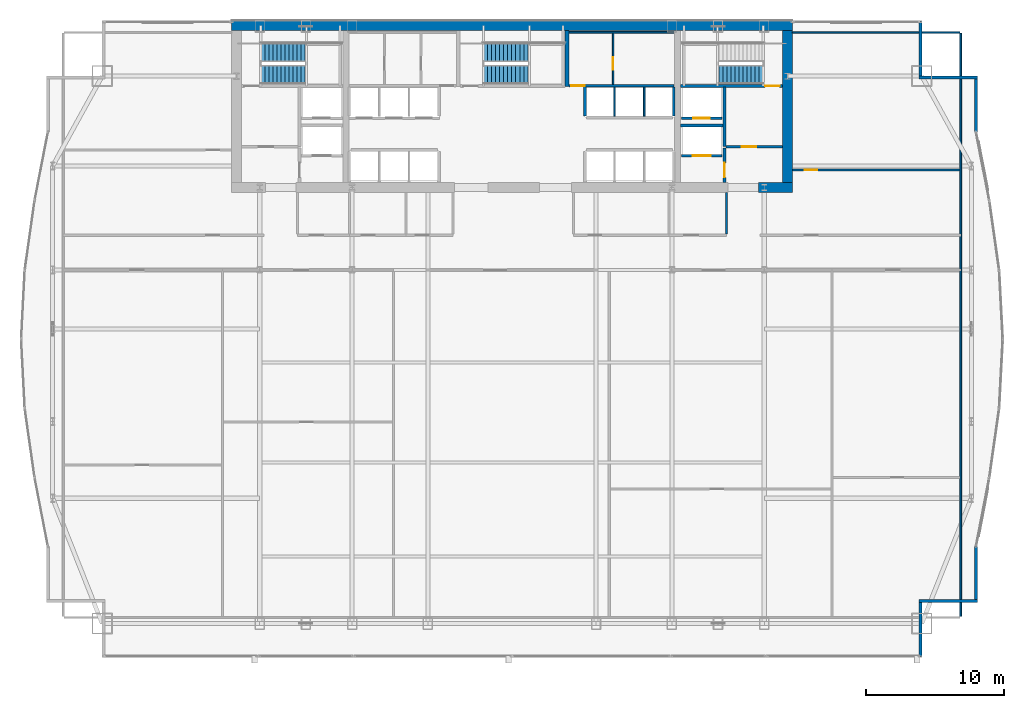
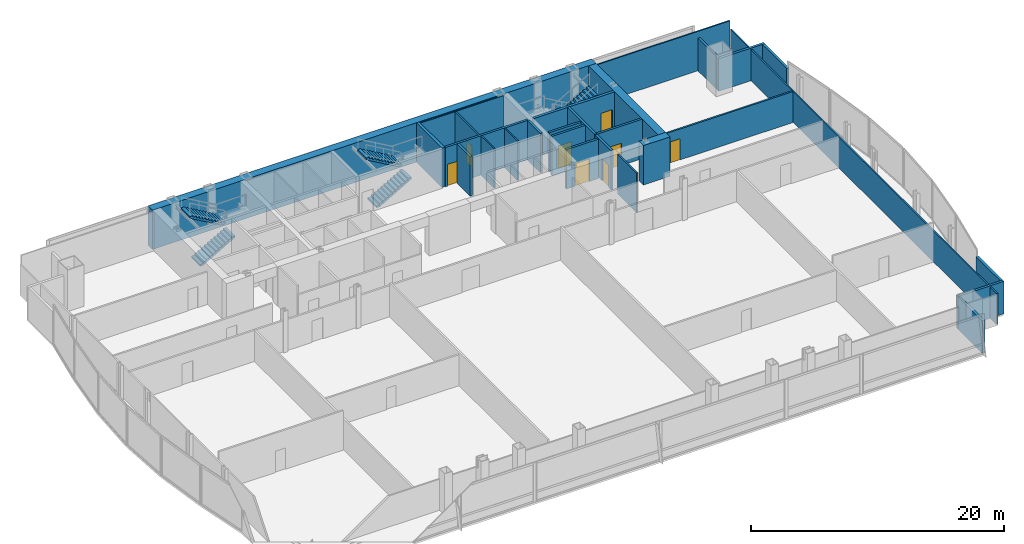
# One storey, part 30 of 34: 28 walls, 8 doors, 5 stair flights, 8 openings, 3 elements without a shape of their own.
"""IFC4 building model written with IfcOpenShell, lengths in metres."""

from ifc_helpers import new_model, si_unit, direction, frame, frame_2d, origin, place, context, subcontext, project, spatial, polyline, rectangle, outline, extrude, material, layer, layer_set, type_object, element, fill, aggregate, save


model = new_model("IFC4")

# Units and contexts
model_context = context("Model", 3, precision=1e-05, world=origin(), true_north=direction((0.0, 1.0)))
body_context = subcontext(model_context, "Body", "Model", "MODEL_VIEW")
ifc_project = project(units=[si_unit("LENGTHUNIT", "METRE"), si_unit("AREAUNIT", "SQUARE_METRE"), si_unit("VOLUMEUNIT", "CUBIC_METRE"), si_unit("PLANEANGLEUNIT", "RADIAN"), si_unit("MASSUNIT", "GRAM", prefix="KILO")], contexts=[model_context])

# Site, building, storey
site_placement = place(None, origin())
site = spatial("IfcSite", under=ifc_project, at=site_placement, CompositionType="ELEMENT")
building_placement = place(site_placement, origin())
building = spatial("IfcBuilding", under=site, at=building_placement, Name="Khoronbel Lancet Exchange", CompositionType="ELEMENT")
storey_placement = place(building_placement, frame((0.0, 0.0, 102.60009765625)))
storey = spatial("IfcBuildingStorey", under=building, at=storey_placement, Name="L24", CompositionType="ELEMENT", Elevation=102.60009765625)

# Walls
ifc_material_1 = material(Name="Concrete C80/95", Category="concrete")
ifc_layer_1 = layer(ifc_material_1, 0.699951171875, Name="Concrete C80/95")
ifc_layer_set_1 = layer_set([ifc_layer_1], Name="Concrete C80/95")
wall_type_1 = type_object("IfcWallType", Name="WL-CW2", PredefinedType="SHEAR", material=ifc_layer_set_1)
wall_1_placement = place(storey_placement, frame((16.199951171875, 53.35009765625, 0.0), z_axis=(0.0, 0.0, 1.0), x_axis=(1.0, 0.0, 0.0)))
element("IfcWall", 1, at=wall_1_placement, inside=storey, type_object=wall_type_1, Name="Level L24 rear core north shear wall", PredefinedType="SHEAR", context=body_context, shape_type="SweptSolid", body=[
    extrude(rectangle(XDim=40.5, YDim=0.699951171875, at=frame_2d((20.25, 0.0))), origin(), (0.0, 0.0, 1.0), 3.7998046875),
])
wall_2_placement = place(storey_placement, frame((56.35009765625, 53.0, 0.0), z_axis=(0.0, 0.0, 1.0), x_axis=(0.0, -1.0, 0.0)))
element("IfcWall", 2, at=wall_2_placement, inside=storey, type_object=wall_type_1, Name="Level L24 rear core east shear wall", PredefinedType="SHEAR", context=body_context, shape_type="SweptSolid", body=[
    extrude(rectangle(XDim=11.0, YDim=0.699951171875, at=frame_2d((5.5, 0.0))), origin(), (0.0, 0.0, 1.0), 3.7998046875),
])
wall_3_placement = place(storey_placement, frame((56.699951171875, 41.64990234375, 0.0), z_axis=(0.0, 0.0, 1.0), x_axis=(-1.0, 0.0, 0.0)))
element("IfcWall", 3, at=wall_3_placement, inside=storey, type_object=wall_type_1, Name="Level L24 rear core south shear wall pier P5", PredefinedType="SHEAR", context=body_context, shape_type="SweptSolid", body=[
    extrude(rectangle(XDim=2.449951171875, YDim=0.699951171875, at=frame_2d((1.22509765625, 0.0))), origin(), (0.0, 0.0, 1.0), 3.7998046875),
])
ifc_material_2 = material(Name="Precast concrete C40/50", Category="concrete")
ifc_layer_2 = layer(ifc_material_2, 0.25, Name="Precast concrete C40/50")
ifc_layer_set_2 = layer_set([ifc_layer_2], Name="Precast concrete C40/50")
wall_type_2 = type_object("IfcWallType", Name="WL-EXT250", PredefinedType="SOLIDWALL", material=ifc_layer_set_2)
wall_4_placement = place(storey_placement, frame((65.9599609375, 53.6298828125, 0.0), z_axis=(0.0, 0.0, 1.0), x_axis=(0.0, -1.0, 0.0)))
element("IfcWall", 4, at=wall_4_placement, inside=storey, type_object=wall_type_2, Name="Level L24 notched-corner limestone pier 14", PredefinedType="SOLIDWALL", context=body_context, shape_type="SweptSolid", body=[
    extrude(rectangle(XDim=3.909912109375, YDim=0.219970703125, at=frame_2d((1.955078125, 0.0))), origin(), (0.0, 0.0, 1.0), 3.139892578125),
])
wall_5_placement = place(storey_placement, frame((65.85009765625, 49.610107421875, 0.0), z_axis=(0.0, 0.0, 1.0), x_axis=(1.0, 0.0, 0.0)))
element("IfcWall", 5, at=wall_5_placement, inside=storey, type_object=wall_type_2, Name="Level L24 notched-corner limestone pier 15", PredefinedType="SOLIDWALL", context=body_context, shape_type="SweptSolid", body=[
    extrude(rectangle(XDim=4.219970703125, YDim=0.219970703125, at=frame_2d((2.10986328125, 0.0))), origin(), (0.0, 0.0, 1.0), 3.139892578125),
])
for number, where, z_axis, x_axis, name in (
    (6, (69.9599609375, 49.5, 0.0), (0.0, 0.0, 1.0), (0.0, -1.0, 0.0), "Level L24 notched-corner limestone pier 16"),
    (7, (69.9599609375, 15.728515625, 0.0), (0.0, 0.0, 1.0), (0.0, -1.0, 0.0), "Level L24 notched-corner limestone pier 23"),
):
    element("IfcWall", number, at=place(storey_placement, frame(where, z_axis=z_axis, x_axis=x_axis)), inside=storey, type_object=wall_type_2, Name=name, PredefinedType="SOLIDWALL", context=body_context, shape_type="SweptSolid", body=[
        extrude(rectangle(XDim=3.82861328125, YDim=0.219970703125, at=frame_2d((1.914306640625, 0.0))), origin(), (0.0, 0.0, 1.0), 3.139892578125),
    ])
wall_6_placement = place(storey_placement, frame((70.070068359375, 11.7900390625, 0.0), z_axis=(0.0, 0.0, 1.0), x_axis=(-1.0, 0.0, 0.0)))
element("IfcWall", 8, at=wall_6_placement, inside=storey, type_object=wall_type_2, Name="Level L24 notched-corner limestone pier 24", PredefinedType="SOLIDWALL", context=body_context, shape_type="SweptSolid", body=[
    extrude(rectangle(XDim=4.219970703125, YDim=0.219970703125, at=frame_2d((2.10986328125, 0.0))), origin(), (0.0, 0.0, 1.0), 3.139892578125),
])
wall_7_placement = place(storey_placement, frame((65.9599609375, 11.679931640625, 0.0), z_axis=(0.0, 0.0, 1.0), x_axis=(0.0, -1.0, 0.0)))
element("IfcWall", 9, at=wall_7_placement, inside=storey, type_object=wall_type_2, Name="Level L24 notched-corner limestone pier 25", PredefinedType="SOLIDWALL", context=body_context, shape_type="SweptSolid", body=[
    extrude(rectangle(XDim=3.909912109375, YDim=0.219970703125, at=frame_2d((1.955078125, 0.0))), origin(), (0.0, 0.0, 1.0), 3.139892578125),
])
ifc_material_3 = material(Name="Acoustic Metal-Stud & Mineral-Wool Gypsum Partition 120 mm", Category="gypsum")
ifc_layer_3 = layer(ifc_material_3, 0.1201171875, Name="Acoustic Metal-Stud & Mineral-Wool Gypsum Partition 120 mm")
ifc_layer_set_3 = layer_set([ifc_layer_3], Name="Acoustic Metal-Stud & Mineral-Wool Gypsum Partition 120 mm")
wall_type_3 = type_object("IfcWallType", Name="WL-PRT120", PredefinedType="PARTITIONING", material=ifc_layer_set_3)
wall_8_placement = place(storey_placement, frame((51.949951171875, 38.280029296875, 0.0), z_axis=(0.0, 0.0, 1.0), x_axis=(0.0, 1.0, 0.0)))
element("IfcWall", 10, at=wall_8_placement, inside=storey, type_object=wall_type_3, Name="Level L24 interior partition PW-NP-1", PredefinedType="PARTITIONING", context=body_context, shape_type="SweptSolid", body=[
    extrude(rectangle(XDim=3.02001953125, YDim=0.14990234375, at=frame_2d((1.510009765625, 0.0))), origin(), (0.0, 0.0, 1.0), 3.7998046875),
])

# Wall, opening, door
wall_9_placement = place(storey_placement, frame((56.699951171875, 42.919921875, 0.0), z_axis=(0.0, 0.0, 1.0), x_axis=(1.0, 0.0, 0.0)))
wall_9 = element("IfcWall", 11, at=wall_9_placement, inside=storey, type_object=wall_type_3, Name="Level L24 interior partition PW-NE-H", PredefinedType="PARTITIONING", context=body_context, shape_type="SweptSolid", body=[
    extrude(rectangle(XDim=12.10498046875, YDim=0.14990234375, at=frame_2d((6.052490234375, 0.0))), origin(), (0.0, 0.0, 1.0), 2.989990234375),
])
opening_1_placement = place(wall_9_placement, frame((0.89990234375, 0.0, 0.0)))
opening_1 = element("IfcOpeningElement", 12, at=opening_1_placement, cuts=wall_9, Name="Opening D5", PredefinedType="OPENING", context=body_context, shape_type="SweptSolid", body=[
    extrude(rectangle(XDim=0.89990234375, YDim=2.050048828125, at=frame_2d((0.449951171875, 1.02490234375))), frame((0.0, 0.0849609375, 0.0), z_axis=(0.0, -1.0, 0.0), x_axis=(1.0, 0.0, 0.0)), (0.0, 0.0, 1.0), 0.169921875),
])
ifc_material_4 = material(Name="Acoustic Timber Pantry & Support Door", Category="wood")
door_type_1 = type_object("IfcDoorType", Name="DR-D5", OperationType="NOTDEFINED", PredefinedType="DOOR", material=ifc_material_4)
door_1_placement = place(opening_1_placement, origin())
door_1 = element("IfcDoor", 13, at=door_1_placement, inside=storey, type_object=door_type_1, Name="NE north room door L24-1", OperationType="SINGLE_SWING_RIGHT", OverallHeight=2.050048828125, OverallWidth=0.89990234375, PredefinedType="DOOR", context=body_context, shape_type="SweptSolid", body=[
    extrude(rectangle(XDim=0.89990234375, YDim=2.050048828125, at=frame_2d((0.449951171875, 1.02490234375))), frame((0.0, 0.02490234375, 0.0), z_axis=(0.0, -1.0, 0.0), x_axis=(1.0, 0.0, 0.0)), (0.0, 0.0, 1.0), 0.050048828125),
])
fill(opening_1, door_1)

# Walls
wall_10_placement = place(storey_placement, frame((68.8701171875, 10.6650390625, 0.0), z_axis=(0.0, 0.0, 1.0), x_axis=(0.0, 1.0, 0.0)))
element("IfcWall", 14, at=wall_10_placement, inside=storey, type_object=wall_type_3, Name="Level L24 interior partition PW-LIN-E", PredefinedType="PARTITIONING", context=body_context, shape_type="SweptSolid", body=[
    extrude(rectangle(XDim=42.10986328125, YDim=0.1201171875, at=frame_2d((21.054931640625, 0.0))), origin(), (0.0, 0.0, 1.0), 2.989990234375),
])
wall_11_placement = place(storey_placement, frame((56.699951171875, 52.840087890625, 0.0), z_axis=(0.0, 0.0, 1.0), x_axis=(1.0, 0.0, 0.0)))
element("IfcWall", 15, at=wall_11_placement, inside=storey, type_object=wall_type_3, Name="Level L24 interior partition PW-LIN-NE", PredefinedType="PARTITIONING", context=body_context, shape_type="SweptSolid", body=[
    extrude(rectangle(XDim=12.10498046875, YDim=0.1201171875, at=frame_2d((6.052490234375, 0.0))), origin(), (0.0, 0.0, 1.0), 3.7998046875),
])
ifc_material_5 = material(Name="Fire-Rated Metal-Stud & Mineral-Wool Gypsum Partition 120 mm", Category="gypsum")
ifc_layer_4 = layer(ifc_material_5, 0.1201171875, Name="Fire-Rated Metal-Stud & Mineral-Wool Gypsum Partition 120 mm")
ifc_layer_set_4 = layer_set([ifc_layer_4], Name="Fire-Rated Metal-Stud & Mineral-Wool Gypsum Partition 120 mm")
wall_type_4 = type_object("IfcWallType", Name="WL-PRT120F", PredefinedType="PARTITIONING", material=ifc_layer_set_4)
for number, where, z_axis, x_axis, name in (
    (16, (43.860107421875, 46.804931640625, 0.0), (0.0, 0.0, 1.0), (0.0, 1.0, 0.0), "Level L24 interior partition CW-PH-D1"),
    (17, (46.0, 46.804931640625, 0.0), (0.0, 0.0, 1.0), (0.0, 1.0, 0.0), "Level L24 interior partition CW-PH-D2"),
):
    element("IfcWall", number, at=place(storey_placement, frame(where, z_axis=z_axis, x_axis=x_axis)), inside=storey, type_object=wall_type_4, Name=name, PredefinedType="PARTITIONING", context=body_context, shape_type="SweptSolid", body=[
        extrude(rectangle(XDim=2.090087890625, YDim=0.1201171875, at=frame_2d((1.044921875, 0.0))), origin(), (0.0, 0.0, 1.0), 3.7998046875),
    ])
wall_12_placement = place(storey_placement, frame((40.580078125, 52.860107421875, 0.0), z_axis=(0.0, 0.0, 1.0), x_axis=(1.0, 0.0, 0.0)))
element("IfcWall", 18, at=wall_12_placement, inside=storey, type_object=wall_type_4, Name="Level L24 interior partition CW-SUP-NE-N", PredefinedType="PARTITIONING", context=body_context, shape_type="SweptSolid", body=[
    extrude(rectangle(XDim=7.559814453125, YDim=0.1201171875, at=frame_2d((3.77978515625, 0.0))), origin(), (0.0, 0.0, 1.0), 3.7998046875),
])

# Wall, opening, door
wall_13_placement = place(storey_placement, frame((43.755126953125, 49.10498046875, 0.0), z_axis=(0.0, 0.0, 1.0), x_axis=(0.0, 1.0, 0.0)))
wall_13 = element("IfcWall", 19, at=wall_13_placement, inside=storey, type_object=wall_type_4, Name="Level L24 interior partition CW-SUP-NE-M", PredefinedType="PARTITIONING", context=body_context, shape_type="SweptSolid", body=[
    extrude(rectangle(XDim=3.68994140625, YDim=0.1201171875, at=frame_2d((1.844970703125, 0.0))), origin(), (0.0, 0.0, 1.0), 3.7998046875),
])
opening_2_placement = place(wall_13_placement, frame((1.050048828125, 0.0, 0.0)))
opening_2 = element("IfcOpeningElement", 20, at=opening_2_placement, cuts=wall_13, Name="Opening FD4", PredefinedType="OPENING", context=body_context, shape_type="SweptSolid", body=[
    extrude(rectangle(XDim=0.89990234375, YDim=2.050048828125, at=frame_2d((0.449951171875, 1.02490234375))), frame((0.0, 0.070068359375, 0.0), z_axis=(0.0, -1.0, 0.0), x_axis=(1.0, 0.0, 0.0)), (0.0, 0.0, 1.0), 0.14013671875),
])
ifc_material_6 = material(Name="Fire-Rated Steel Core Support Door Assembly", Category="steel")
door_type_2 = type_object("IfcDoorType", Name="DR-FD4", OperationType="NOTDEFINED", PredefinedType="DOOR", material=ifc_material_6)
door_2_placement = place(opening_2_placement, origin())
door_2 = element("IfcDoor", 21, at=door_2_placement, inside=storey, type_object=door_type_2, Name="Core NE inner support door L24-1", OperationType="SINGLE_SWING_LEFT", OverallHeight=2.050048828125, OverallWidth=0.89990234375, PredefinedType="DOOR", context=body_context, shape_type="SweptSolid", body=[
    extrude(rectangle(XDim=0.89990234375, YDim=2.050048828125, at=frame_2d((0.449951171875, 1.02490234375))), frame((0.0, 0.02490234375, 0.0), z_axis=(0.0, -1.0, 0.0), x_axis=(1.0, 0.0, 0.0)), (0.0, 0.0, 1.0), 0.050048828125),
])
fill(opening_2, door_2)

ifc_material_7 = material(Name="Autoclaved Aerated Concrete Blockwork 200 mm", Category="masonry")
ifc_layer_5 = layer(ifc_material_7, 0.199951171875, Name="Autoclaved Aerated Concrete Blockwork 200 mm")
ifc_layer_set_5 = layer_set([ifc_layer_5], Name="Autoclaved Aerated Concrete Blockwork 200 mm")
wall_type_5 = type_object("IfcWallType", Name="WL-PRT200", PredefinedType="PARTITIONING", material=ifc_layer_set_5)
wall_14_placement = place(storey_placement, frame((51.610107421875, 43.949951171875, 0.0), z_axis=(0.0, 0.0, 1.0), x_axis=(-1.0, 0.0, 0.0)))
wall_14 = element("IfcWall", 22, at=wall_14_placement, inside=storey, type_object=wall_type_5, Name="Level L24 elevator hoistway landing front wall SVLE", PredefinedType="PARTITIONING", context=body_context, shape_type="SweptSolid", body=[
    extrude(rectangle(XDim=2.920166015625, YDim=0.199951171875, at=frame_2d((1.4599609375, 0.0))), origin(), (0.0, 0.0, 1.0), 3.7998046875),
])
opening_3_placement = place(wall_14_placement, frame((0.81005859375, 0.0, 0.0)))
opening_3 = element("IfcOpeningElement", 23, at=opening_3_placement, cuts=wall_14, Name="Opening LD-SVL2", PredefinedType="OPENING", context=body_context, shape_type="SweptSolid", body=[
    extrude(rectangle(XDim=1.300048828125, YDim=2.179931640625, at=frame_2d((0.64990234375, 1.08984375))), frame((0.0, 0.10986328125, 0.0), z_axis=(0.0, -1.0, 0.0), x_axis=(1.0, 0.0, 0.0)), (0.0, 0.0, 1.0), 0.219970703125),
])
ifc_material_8 = material(Name="Heavy-Duty Bi-Parting Goods Lift Landing Door", Category="steel")
door_type_3 = type_object("IfcDoorType", Name="DR-LD-SVL", OperationType="NOTDEFINED", PredefinedType="DOOR", material=ifc_material_8)
door_3_placement = place(opening_3_placement, origin())
door_3 = element("IfcDoor", 24, at=door_3_placement, inside=storey, type_object=door_type_3, Name="Elevator landing sliding door LD-SVL2 L24", OperationType="SLIDING_TO_LEFT", OverallHeight=2.179931640625, OverallWidth=1.300048828125, PredefinedType="DOOR", context=body_context, shape_type="SweptSolid", body=[
    extrude(rectangle(XDim=1.300048828125, YDim=2.179931640625, at=frame_2d((0.64990234375, 1.08984375))), frame((0.0, 0.02490234375, 0.0), z_axis=(0.0, -1.0, 0.0), x_axis=(1.0, 0.0, 0.0)), (0.0, 0.0, 1.0), 0.050048828125),
])
fill(opening_3, door_3)

wall_15_placement = place(storey_placement, frame((51.610107421875, 46.64990234375, 0.0), z_axis=(0.0, 0.0, 1.0), x_axis=(-1.0, 0.0, 0.0)))
wall_15 = element("IfcWall", 25, at=wall_15_placement, inside=storey, type_object=wall_type_5, Name="Level L24 elevator hoistway landing front wall FFLE", PredefinedType="PARTITIONING", context=body_context, shape_type="SweptSolid", body=[
    extrude(rectangle(XDim=2.920166015625, YDim=0.199951171875, at=frame_2d((1.4599609375, 0.0))), origin(), (0.0, 0.0, 1.0), 3.7998046875),
])
opening_4_placement = place(wall_15_placement, frame((0.860107421875, 0.0, 0.0)))
opening_4 = element("IfcOpeningElement", 26, at=opening_4_placement, cuts=wall_15, Name="Opening LD-FFL2", PredefinedType="OPENING", context=body_context, shape_type="SweptSolid", body=[
    extrude(rectangle(XDim=1.199951171875, YDim=2.179931640625, at=frame_2d((0.60009765625, 1.08984375))), frame((0.0, 0.10986328125, 0.0), z_axis=(0.0, -1.0, 0.0), x_axis=(1.0, 0.0, 0.0)), (0.0, 0.0, 1.0), 0.219970703125),
])
ifc_material_9 = material(Name="Fire-Rated Stainless Bi-Parting Firefighting Lift Door", Category="steel")
door_type_4 = type_object("IfcDoorType", Name="DR-LD-FFL", OperationType="NOTDEFINED", PredefinedType="DOOR", material=ifc_material_9)
door_4_placement = place(opening_4_placement, origin())
door_4 = element("IfcDoor", 27, at=door_4_placement, inside=storey, type_object=door_type_4, Name="Elevator landing sliding door LD-FFL2 L24", OperationType="SLIDING_TO_LEFT", OverallHeight=2.179931640625, OverallWidth=1.199951171875, PredefinedType="DOOR", context=body_context, shape_type="SweptSolid", body=[
    extrude(rectangle(XDim=1.199951171875, YDim=2.179931640625, at=frame_2d((0.60009765625, 1.08984375))), frame((0.0, 0.02490234375, 0.0), z_axis=(0.0, -1.0, 0.0), x_axis=(1.0, 0.0, 0.0)), (0.0, 0.0, 1.0), 0.050048828125),
])
fill(opening_4, door_4)

# Wall
wall_16_placement = place(storey_placement, frame((51.800048828125, 44.60009765625, 0.0), z_axis=(0.0, 0.0, 1.0), x_axis=(0.0, 1.0, 0.0)))
element("IfcWall", 28, at=wall_16_placement, inside=storey, type_object=wall_type_5, Name="Level L24 interior partition CW-FFLE-W", PredefinedType="PARTITIONING", context=body_context, shape_type="SweptSolid", body=[
    extrude(rectangle(XDim=4.2998046875, YDim=0.199951171875, at=frame_2d((2.14990234375, 0.0))), origin(), (0.0, 0.0, 1.0), 3.7998046875),
])

# Wall, opening, door
wall_17_placement = place(storey_placement, frame((51.89990234375, 44.60009765625, 0.0), z_axis=(0.0, 0.0, 1.0), x_axis=(1.0, 0.0, 0.0)))
wall_17 = element("IfcWall", 29, at=wall_17_placement, inside=storey, type_object=wall_type_5, Name="Level L24 interior partition CW-FFLE-S", PredefinedType="PARTITIONING", context=body_context, shape_type="SweptSolid", body=[
    extrude(rectangle(XDim=4.10009765625, YDim=0.199951171875, at=frame_2d((2.050048828125, 0.0))), origin(), (0.0, 0.0, 1.0), 3.7998046875),
])
opening_5_placement = place(wall_17_placement, frame((1.14990234375, 0.0, 0.0)))
opening_5 = element("IfcOpeningElement", 30, at=opening_5_placement, cuts=wall_17, Name="Opening FD1", PredefinedType="OPENING", context=body_context, shape_type="SweptSolid", body=[
    extrude(rectangle(XDim=1.050048828125, YDim=2.14990234375, at=frame_2d((0.52490234375, 1.074951171875))), frame((0.0, 0.10986328125, 0.0), z_axis=(0.0, -1.0, 0.0), x_axis=(1.0, 0.0, 0.0)), (0.0, 0.0, 1.0), 0.219970703125),
])
ifc_material_10 = material(Name="Fire-Rated Painted Steel Door Assembly", Category="steel")
door_type_5 = type_object("IfcDoorType", Name="DR-FD1", OperationType="NOTDEFINED", PredefinedType="DOOR", material=ifc_material_10)
door_5_placement = place(opening_5_placement, origin())
door_5 = element("IfcDoor", 31, at=door_5_placement, inside=storey, type_object=door_type_5, Name="East firefighting lobby FD90S door L24-1", OperationType="SINGLE_SWING_LEFT", OverallHeight=2.14990234375, OverallWidth=1.050048828125, PredefinedType="DOOR", context=body_context, shape_type="SweptSolid", body=[
    extrude(rectangle(XDim=1.050048828125, YDim=2.14990234375, at=frame_2d((0.52490234375, 1.074951171875))), frame((0.0, 0.02490234375, 0.0), z_axis=(0.0, -1.0, 0.0), x_axis=(1.0, 0.0, 0.0)), (0.0, 0.0, 1.0), 0.050048828125),
])
fill(opening_5, door_5)

# Wall
wall_18_placement = place(storey_placement, frame((48.6298828125, 46.1201171875, 0.0), z_axis=(0.0, 0.0, 1.0), x_axis=(1.0, 0.0, 0.0)))
element("IfcWall", 32, at=wall_18_placement, inside=storey, type_object=wall_type_5, Name="Level L24 interior partition CW-FFL2-S", PredefinedType="PARTITIONING", context=body_context, shape_type="SweptSolid", body=[
    extrude(rectangle(XDim=3.070068359375, YDim=0.199951171875, at=frame_2d((1.53515625, 0.0))), origin(), (0.0, 0.0, 1.0), 3.7998046875),
])

# Wall, opening, door
wall_19_placement = place(storey_placement, frame((51.800048828125, 42.0, 0.0), z_axis=(0.0, 0.0, 1.0), x_axis=(0.0, 1.0, 0.0)))
wall_19 = element("IfcWall", 33, at=wall_19_placement, inside=storey, type_object=wall_type_5, Name="Level L24 interior partition CW-SVLE-E", PredefinedType="PARTITIONING", context=body_context, shape_type="SweptSolid", body=[
    extrude(rectangle(XDim=2.4951171875, YDim=0.199951171875, at=frame_2d((1.24755859375, 0.0))), origin(), (0.0, 0.0, 1.0), 3.7998046875),
])
opening_6_placement = place(wall_19_placement, frame((0.3798828125, 0.0, 0.0)))
opening_6 = element("IfcOpeningElement", 34, at=opening_6_placement, cuts=wall_19, Name="Opening FD1", PredefinedType="OPENING", context=body_context, shape_type="SweptSolid", body=[
    extrude(rectangle(XDim=1.050048828125, YDim=2.14990234375, at=frame_2d((0.52490234375, 1.074951171875))), frame((0.0, 0.10986328125, 0.0), z_axis=(0.0, -1.0, 0.0), x_axis=(1.0, 0.0, 0.0)), (0.0, 0.0, 1.0), 0.219970703125),
])
door_6_placement = place(opening_6_placement, origin())
door_6 = element("IfcDoor", 35, at=door_6_placement, inside=storey, type_object=door_type_5, Name="East service lift lobby door L24-1", OperationType="SINGLE_SWING_RIGHT", OverallHeight=2.14990234375, OverallWidth=1.050048828125, PredefinedType="DOOR", context=body_context, shape_type="SweptSolid", body=[
    extrude(rectangle(XDim=1.050048828125, YDim=2.14990234375, at=frame_2d((0.52490234375, 1.074951171875))), frame((0.0, 0.02490234375, 0.0), z_axis=(0.0, -1.0, 0.0), x_axis=(1.0, 0.0, 0.0)), (0.0, 0.0, 1.0), 0.050048828125),
])
fill(opening_6, door_6)

# Walls
for number, where, z_axis, x_axis, name in (
    (36, (41.719970703125, 46.804931640625, 0.0), (0.0, 0.0, 1.0), (0.0, 1.0, 0.0), "Level L24 interior partition CW-PH-W"),
    (37, (48.139892578125, 46.804931640625, 0.0), (0.0, 0.0, 1.0), (0.0, 1.0, 0.0), "Level L24 interior partition CW-PH-E"),
):
    element("IfcWall", number, at=place(storey_placement, frame(where, z_axis=z_axis, x_axis=x_axis)), inside=storey, type_object=wall_type_5, Name=name, PredefinedType="PARTITIONING", context=body_context, shape_type="SweptSolid", body=[
        extrude(rectangle(XDim=2.090087890625, YDim=0.199951171875, at=frame_2d((1.044921875, 0.0))), origin(), (0.0, 0.0, 1.0), 3.7998046875),
    ])

# Wall, opening, door
wall_20_placement = place(storey_placement, frame((40.580078125, 49.0, 0.0), z_axis=(0.0, 0.0, 1.0), x_axis=(1.0, 0.0, 0.0)))
wall_20 = element("IfcWall", 38, at=wall_20_placement, inside=storey, type_object=wall_type_5, Name="Level L24 interior partition CW-SUP-NE-S", PredefinedType="PARTITIONING", context=body_context, shape_type="SweptSolid", body=[
    extrude(rectangle(XDim=7.559814453125, YDim=0.199951171875, at=frame_2d((3.77978515625, 0.0))), origin(), (0.0, 0.0, 1.0), 3.7998046875),
])
opening_7_placement = place(wall_20_placement, frame((0.159912109375, 0.0, 0.0)))
opening_7 = element("IfcOpeningElement", 39, at=opening_7_placement, cuts=wall_20, Name="Opening FD3", PredefinedType="OPENING", context=body_context, shape_type="SweptSolid", body=[
    extrude(rectangle(XDim=0.949951171875, YDim=2.10009765625, at=frame_2d((0.47509765625, 1.050048828125))), frame((0.0, 0.10986328125, 0.0), z_axis=(0.0, -1.0, 0.0), x_axis=(1.0, 0.0, 0.0)), (0.0, 0.0, 1.0), 0.219970703125),
])
ifc_material_11 = material(Name="Fire-Rated Steel Plant & Riser Door Assembly", Category="steel")
door_type_6 = type_object("IfcDoorType", Name="DR-FD3", OperationType="NOTDEFINED", PredefinedType="DOOR", material=ifc_material_11)
door_7_placement = place(opening_7_placement, origin())
door_7 = element("IfcDoor", 40, at=door_7_placement, inside=storey, type_object=door_type_6, Name="Core NE support room door L24-1", OperationType="SINGLE_SWING_RIGHT", OverallHeight=2.10009765625, OverallWidth=0.949951171875, PredefinedType="DOOR", context=body_context, shape_type="SweptSolid", body=[
    extrude(rectangle(XDim=0.949951171875, YDim=2.10009765625, at=frame_2d((0.47509765625, 1.050048828125))), frame((0.0, 0.02490234375, 0.0), z_axis=(0.0, -1.0, 0.0), x_axis=(1.0, 0.0, 0.0)), (0.0, 0.0, 1.0), 0.050048828125),
])
fill(opening_7, door_7)

# Wall
ifc_material_12 = material(Name="Concrete C60/75", Category="concrete")
ifc_layer_6 = layer(ifc_material_12, 0.260009765625, Name="Concrete C60/75")
ifc_layer_set_6 = layer_set([ifc_layer_6], Name="Concrete C60/75")
wall_type_6 = type_object("IfcWallType", Name="WL-SW3", PredefinedType="SHEAR", material=ifc_layer_set_6)
wall_21_placement = place(storey_placement, frame((40.419921875, 48.949951171875, 0.0), z_axis=(0.0, 0.0, 1.0), x_axis=(0.0, 1.0, 0.0)))
element("IfcWall", 41, at=wall_21_placement, inside=storey, type_object=wall_type_6, Name="Level L24 central stairwell structural shear wall ST3E", PredefinedType="SHEAR", context=body_context, shape_type="SweptSolid", body=[
    extrude(rectangle(XDim=4.050048828125, YDim=0.260009765625, at=frame_2d((2.02490234375, 0.0))), origin(), (0.0, 0.0, 1.0), 3.7998046875),
])

# Wall, opening, door
wall_22_placement = place(storey_placement, frame((48.6298828125, 48.97998046875, 0.0), z_axis=(0.0, 0.0, 1.0), x_axis=(1.0, 0.0, 0.0)))
wall_22 = element("IfcWall", 42, at=wall_22_placement, inside=storey, type_object=wall_type_6, Name="Level L24 east stairwell structural south wall", PredefinedType="SHEAR", context=body_context, shape_type="SweptSolid", body=[
    extrude(rectangle(XDim=7.3701171875, YDim=0.239990234375, at=frame_2d((3.68505859375, 0.0))), origin(), (0.0, 0.0, 1.0), 3.7998046875),
])
opening_8_placement = place(wall_22_placement, frame((6.10009765625, 0.0, 0.0)))
opening_8 = element("IfcOpeningElement", 43, at=opening_8_placement, cuts=wall_22, Name="Opening SD1", PredefinedType="OPENING", context=body_context, shape_type="SweptSolid", body=[
    extrude(rectangle(XDim=1.050048828125, YDim=2.14990234375, at=frame_2d((0.52490234375, 1.074951171875))), frame((0.0, 0.1298828125, 0.0), z_axis=(0.0, -1.0, 0.0), x_axis=(1.0, 0.0, 0.0)), (0.0, 0.0, 1.0), 0.260009765625),
])
ifc_material_13 = material(Name="Fire-Rated Steel Stairwell Door Assembly", Category="steel")
door_type_7 = type_object("IfcDoorType", Name="DR-SD1", OperationType="NOTDEFINED", PredefinedType="DOOR", material=ifc_material_13)
door_8_placement = place(opening_8_placement, origin())
door_8 = element("IfcDoor", 44, at=door_8_placement, inside=storey, type_object=door_type_7, Name="Protected exit stair ST2 door L24", OperationType="SINGLE_SWING_RIGHT", OverallHeight=2.14990234375, OverallWidth=1.050048828125, PredefinedType="DOOR", context=body_context, shape_type="SweptSolid", body=[
    extrude(rectangle(XDim=1.050048828125, YDim=2.14990234375, at=frame_2d((0.52490234375, 1.074951171875))), frame((0.0, 0.02490234375, 0.0), z_axis=(0.0, -1.0, 0.0), x_axis=(1.0, 0.0, 0.0)), (0.0, 0.0, 1.0), 0.050048828125),
])
fill(opening_8, door_8)

# Stair, stair flights
ifc_material_14 = material(Name="Concrete C40/50", Category="concrete")
stair_type = type_object("IfcStairType", Name="STR-CORE150", PredefinedType="HALF_TURN_STAIR", material=ifc_material_14)
stair_1_placement = place(storey_placement, origin())
stair_1 = element("IfcStair", 45, at=stair_1_placement, inside=storey, type_object=stair_type, Name="L24 Protected Exit Stair ST1", PredefinedType="HALF_TURN_STAIR")
stair_flight_type = type_object("IfcStairFlightType", Name="STF-150", PredefinedType="STRAIGHT", material=ifc_material_14)
stair_flight_1_placement = place(storey_placement, frame((18.300048828125, 49.81005859375, 0.0), z_axis=(0.0, 0.0, 1.0), x_axis=(1.0, 0.0, 0.0)))
stair_flight_1 = element("IfcStairFlight", 46, at=stair_flight_1_placement, type_object=stair_flight_type, Name="ST1 flight 1", NumberOfRisers=12, NumberOfTreads=11, PredefinedType="STRAIGHT", RiserHeight=0.166666667, TreadLength=0.29, context=body_context, shape_type="SweptSolid", body=[
    extrude(outline(polyline([(0.0, 0.0), (0.0, 0.166748046875), (0.2900390625, 0.166748046875), (0.2900390625, 0.333251953125), (0.580078125, 0.333251953125), (0.580078125, 0.5), (0.8701171875, 0.5), (0.8701171875, 0.666748046875), (1.159912109375, 0.666748046875), (1.159912109375, 0.833251953125), (1.449951171875, 0.833251953125), (1.449951171875, 1.0), (1.739990234375, 1.0), (1.739990234375, 1.166748046875), (2.030029296875, 1.166748046875), (2.030029296875, 1.333251953125), (2.320068359375, 1.333251953125), (2.320068359375, 1.5), (2.610107421875, 1.5), (2.610107421875, 1.666748046875), (2.89990234375, 1.666748046875), (2.89990234375, 1.833251953125), (3.18994140625, 1.833251953125), (3.18994140625, 2.0), (3.18994140625, 1.660400390625), (0.30078125, 0.0), (0.0, 0.0)])), frame((0.0, 0.68994140625, 0.0), z_axis=(0.0, -1.0, 0.0), x_axis=(1.0, 0.0, 0.0)), (0.0, 0.0, 1.0), 1.3798828125),
])
stair_flight_2_placement = place(storey_placement, frame((21.489990234375, 51.409912109375, 2.0), z_axis=(0.0, 0.0, 1.0), x_axis=(-1.0, 0.0, 0.0)))
stair_flight_2 = element("IfcStairFlight", 47, at=stair_flight_2_placement, type_object=stair_flight_type, Name="ST1 flight 2", NumberOfRisers=12, NumberOfTreads=11, PredefinedType="STRAIGHT", RiserHeight=0.166666667, TreadLength=0.29, context=body_context, shape_type="SweptSolid", body=[
    extrude(outline(polyline([(0.0, 0.0), (0.0, 0.166748046875), (0.2900390625, 0.166748046875), (0.2900390625, 0.333251953125), (0.580078125, 0.333251953125), (0.580078125, 0.5), (0.8701171875, 0.5), (0.8701171875, 0.666748046875), (1.159912109375, 0.666748046875), (1.159912109375, 0.833251953125), (1.449951171875, 0.833251953125), (1.449951171875, 1.0), (1.739990234375, 1.0), (1.739990234375, 1.166748046875), (2.030029296875, 1.166748046875), (2.030029296875, 1.333251953125), (2.320068359375, 1.333251953125), (2.320068359375, 1.5), (2.610107421875, 1.5), (2.610107421875, 1.666748046875), (2.89990234375, 1.666748046875), (2.89990234375, 1.833251953125), (3.18994140625, 1.833251953125), (3.18994140625, 2.0), (3.18994140625, 1.660400390625), (0.30078125, 0.0), (0.0, 0.0)])), frame((0.0, 0.68994140625, 0.0), z_axis=(0.0, -1.0, 0.0), x_axis=(1.0, 0.0, 0.0)), (0.0, 0.0, 1.0), 1.3798828125),
])
aggregate(stair_1, [stair_flight_1, stair_flight_2])

# Stair, stair flight
stair_2_placement = place(storey_placement, origin())
stair_2 = element("IfcStair", 48, at=stair_2_placement, inside=storey, type_object=stair_type, Name="L24 Protected Exit Stair ST2", PredefinedType="HALF_TURN_STAIR")
stair_flight_3_placement = place(storey_placement, frame((51.409912109375, 49.81005859375, 2.0), z_axis=(0.0, 0.0, 1.0), x_axis=(1.0, 0.0, 0.0)))
stair_flight_3 = element("IfcStairFlight", 49, at=stair_flight_3_placement, type_object=stair_flight_type, Name="ST2 flight 2", NumberOfRisers=12, NumberOfTreads=11, PredefinedType="STRAIGHT", RiserHeight=0.166666667, TreadLength=0.29, context=body_context, shape_type="SweptSolid", body=[
    extrude(outline(polyline([(0.0, 0.0), (0.0, 0.166748046875), (0.2900390625, 0.166748046875), (0.2900390625, 0.333251953125), (0.580078125, 0.333251953125), (0.580078125, 0.5), (0.8701171875, 0.5), (0.8701171875, 0.666748046875), (1.159912109375, 0.666748046875), (1.159912109375, 0.833251953125), (1.449951171875, 0.833251953125), (1.449951171875, 1.0), (1.739990234375, 1.0), (1.739990234375, 1.166748046875), (2.030029296875, 1.166748046875), (2.030029296875, 1.333251953125), (2.320068359375, 1.333251953125), (2.320068359375, 1.5), (2.610107421875, 1.5), (2.610107421875, 1.666748046875), (2.89990234375, 1.666748046875), (2.89990234375, 1.833251953125), (3.18994140625, 1.833251953125), (3.18994140625, 2.0), (3.18994140625, 1.660400390625), (0.30078125, 0.0), (0.0, 0.0)])), frame((0.0, 0.68994140625, 0.0), z_axis=(0.0, -1.0, 0.0), x_axis=(1.0, 0.0, 0.0)), (0.0, 0.0, 1.0), 1.3798828125),
])
aggregate(stair_2, [stair_flight_3])

# Stair, stair flights
stair_3_placement = place(storey_placement, origin())
stair_3 = element("IfcStair", 50, at=stair_3_placement, inside=storey, type_object=stair_type, Name="L24 Protected Exit Stair ST3", PredefinedType="HALF_TURN_STAIR")
stair_flight_4_placement = place(storey_placement, frame((34.39990234375, 49.81005859375, 0.0), z_axis=(0.0, 0.0, 1.0), x_axis=(1.0, 0.0, 0.0)))
stair_flight_4 = element("IfcStairFlight", 51, at=stair_flight_4_placement, type_object=stair_flight_type, Name="ST3 flight 1", NumberOfRisers=12, NumberOfTreads=11, PredefinedType="STRAIGHT", RiserHeight=0.166666667, TreadLength=0.29, context=body_context, shape_type="SweptSolid", body=[
    extrude(outline(polyline([(0.0, 0.0), (0.0, 0.166748046875), (0.2900390625, 0.166748046875), (0.2900390625, 0.333251953125), (0.580078125, 0.333251953125), (0.580078125, 0.5), (0.8701171875, 0.5), (0.8701171875, 0.666748046875), (1.159912109375, 0.666748046875), (1.159912109375, 0.833251953125), (1.449951171875, 0.833251953125), (1.449951171875, 1.0), (1.739990234375, 1.0), (1.739990234375, 1.166748046875), (2.030029296875, 1.166748046875), (2.030029296875, 1.333251953125), (2.320068359375, 1.333251953125), (2.320068359375, 1.5), (2.610107421875, 1.5), (2.610107421875, 1.666748046875), (2.89990234375, 1.666748046875), (2.89990234375, 1.833251953125), (3.18994140625, 1.833251953125), (3.18994140625, 2.0), (3.18994140625, 1.660400390625), (0.30078125, 0.0), (0.0, 0.0)])), frame((0.0, 0.68994140625, 0.0), z_axis=(0.0, -1.0, 0.0), x_axis=(1.0, 0.0, 0.0)), (0.0, 0.0, 1.0), 1.3798828125),
])
stair_flight_5_placement = place(storey_placement, frame((37.590087890625, 51.409912109375, 2.0), z_axis=(0.0, 0.0, 1.0), x_axis=(-1.0, 0.0, 0.0)))
stair_flight_5 = element("IfcStairFlight", 52, at=stair_flight_5_placement, type_object=stair_flight_type, Name="ST3 flight 2", NumberOfRisers=12, NumberOfTreads=11, PredefinedType="STRAIGHT", RiserHeight=0.166666667, TreadLength=0.29, context=body_context, shape_type="SweptSolid", body=[
    extrude(outline(polyline([(0.0, 0.0), (0.0, 0.166748046875), (0.2900390625, 0.166748046875), (0.2900390625, 0.333251953125), (0.580078125, 0.333251953125), (0.580078125, 0.5), (0.8701171875, 0.5), (0.8701171875, 0.666748046875), (1.159912109375, 0.666748046875), (1.159912109375, 0.833251953125), (1.449951171875, 0.833251953125), (1.449951171875, 1.0), (1.739990234375, 1.0), (1.739990234375, 1.166748046875), (2.030029296875, 1.166748046875), (2.030029296875, 1.333251953125), (2.320068359375, 1.333251953125), (2.320068359375, 1.5), (2.610107421875, 1.5), (2.610107421875, 1.666748046875), (2.89990234375, 1.666748046875), (2.89990234375, 1.833251953125), (3.18994140625, 1.833251953125), (3.18994140625, 2.0), (3.18994140625, 1.660400390625), (0.30078125, 0.0), (0.0, 0.0)])), frame((0.0, 0.68994140625, 0.0), z_axis=(0.0, -1.0, 0.0), x_axis=(1.0, 0.0, 0.0)), (0.0, 0.0, 1.0), 1.3798828125),
])
aggregate(stair_3, [stair_flight_4, stair_flight_5])

save(model, "model.ifc")
